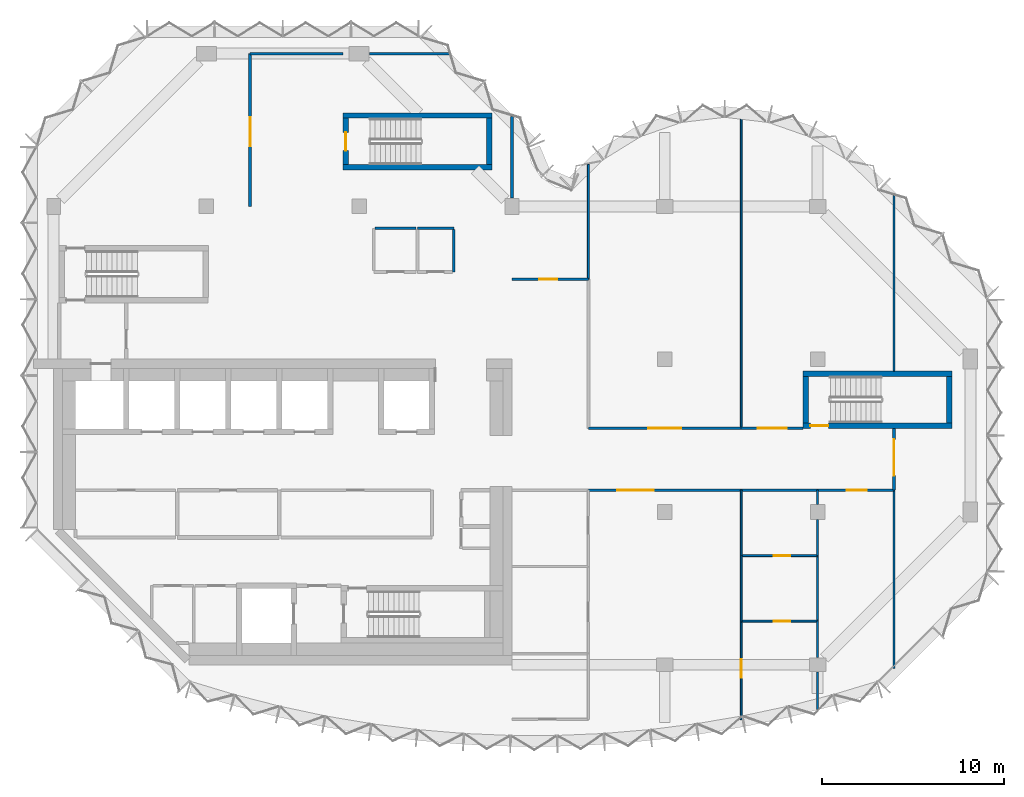
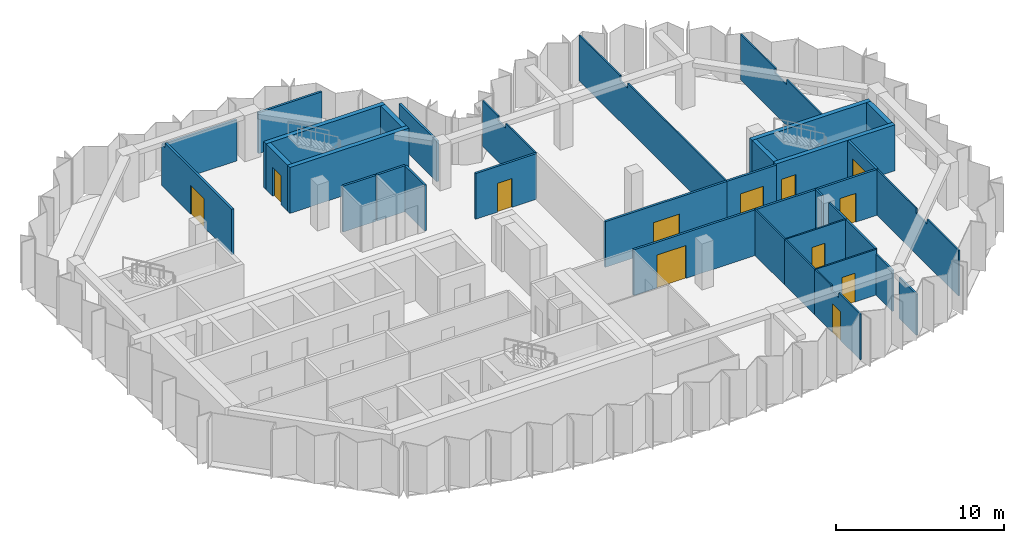
# One storey, part 6 of 9: 36 walls, 12 doors, 12 openings.
"""IFC4 building model written with IfcOpenShell, lengths in metres."""

from ifc_helpers import new_model, si_unit, direction, frame, frame_2d, origin, place, context, subcontext, project, spatial, polyline, rectangle, outline, extrude, material, layer, layer_set, type_object, element, fill, save


model = new_model("IFC4")

# Units and contexts
model_context = context("Model", 3, precision=1e-05, world=origin(), true_north=direction((0.0, 1.0)))
body_context = subcontext(model_context, "Body", "Model", "MODEL_VIEW")
ifc_project = project(units=[si_unit("LENGTHUNIT", "METRE"), si_unit("AREAUNIT", "SQUARE_METRE"), si_unit("VOLUMEUNIT", "CUBIC_METRE"), si_unit("PLANEANGLEUNIT", "RADIAN"), si_unit("MASSUNIT", "GRAM", prefix="KILO")], contexts=[model_context])

# Site, building, storey
site_placement = place(None, origin())
site = spatial("IfcSite", under=ifc_project, at=site_placement, CompositionType="ELEMENT")
building_placement = place(site_placement, origin())
building = spatial("IfcBuilding", under=site, at=building_placement, Name="Brevane Broadcast Tower", CompositionType="ELEMENT")
storey_placement = place(building_placement, frame((0.0, 0.0, 226.5)))
storey = spatial("IfcBuildingStorey", under=building, at=storey_placement, Name="L57", CompositionType="ELEMENT", Elevation=226.5)

# Walls
ifc_material_1 = material(Name="Gypsum board on steel studs", Category="steel")
ifc_layer_1 = layer(ifc_material_1, 0.14990234375)
ifc_layer_set_1 = layer_set([ifc_layer_1], Name="Core fire partition 150 mm")
wall_type_1 = type_object("IfcWallType", Name="Core fire partition 150 mm", PredefinedType="PARTITIONING", material=ifc_layer_set_1)
wall_1_placement = place(storey_placement, frame((20.0, 24.0, 0.0), z_axis=(0.0, 0.0, 1.0), x_axis=(1.0, 0.0, 0.0)))
element("IfcWall", 1, at=wall_1_placement, inside=storey, type_object=wall_type_1, Name="L57 partition wall P22", PredefinedType="PARTITIONING", context=body_context, shape_type="SweptSolid", body=[
    extrude(rectangle(XDim=2.0, YDim=0.14990234375, at=frame_2d((1.0, 0.0))), origin(), (0.0, 0.0, 1.0), 3.35009765625),
])
wall_2_placement = place(storey_placement, frame((22.0, 23.925048828125, 0.0), z_axis=(0.0, 0.0, 1.0), x_axis=(0.0, -1.0, 0.0)))
element("IfcWall", 2, at=wall_2_placement, inside=storey, type_object=wall_type_1, Name="L57 partition wall P23", PredefinedType="PARTITIONING", context=body_context, shape_type="SweptSolid", body=[
    extrude(rectangle(XDim=2.324951171875, YDim=0.14990234375, at=frame_2d((1.16259765625, 0.0))), origin(), (0.0, 0.0, 1.0), 3.35009765625),
])
wall_3_placement = place(storey_placement, frame((17.675048828125, 24.0, 0.0), z_axis=(0.0, 0.0, 1.0), x_axis=(1.0, 0.0, 0.0)))
element("IfcWall", 3, at=wall_3_placement, inside=storey, type_object=wall_type_1, Name="L57 partition wall P28", PredefinedType="PARTITIONING", context=body_context, shape_type="SweptSolid", body=[
    extrude(rectangle(XDim=2.25, YDim=0.14990234375, at=frame_2d((1.125, 0.0))), origin(), (0.0, 0.0, 1.0), 3.35009765625),
])
ifc_material_2 = material(Name="Concrete C50/60", Category="concrete")
ifc_layer_2 = layer(ifc_material_2, 0.300048828125)
ifc_layer_set_2 = layer_set([ifc_layer_2], Name="Core wall 300 mm C50/60")
wall_type_2 = type_object("IfcWallType", Name="Core wall 300 mm C50/60", PredefinedType="SHEAR", material=ifc_layer_set_2)
for number, where, z_axis, x_axis, name in (
    (4, (15.89990234375, 27.35009765625, 0.0), (0.0, 0.0, 1.0), (1.0, 0.0, 0.0), "L57 stair wall ST-3-S"),
    (5, (15.89990234375, 30.199951171875, 0.0), (0.0, 0.0, 1.0), (1.0, 0.0, 0.0), "L57 stair wall ST-3-N"),
):
    element("IfcWall", number, at=place(storey_placement, frame(where, z_axis=z_axis, x_axis=x_axis)), inside=storey, type_object=wall_type_2, Name=name, PredefinedType="SHEAR", context=body_context, shape_type="SweptSolid", body=[
        extrude(rectangle(XDim=8.2001953125, YDim=0.300048828125, at=frame_2d((4.10009765625, 0.0))), origin(), (0.0, 0.0, 1.0), 3.35009765625),
    ])

# Wall, opening, door
wall_4_placement = place(storey_placement, frame((16.050048828125, 27.5, 0.0), z_axis=(0.0, 0.0, 1.0), x_axis=(0.0, 1.0, 0.0)))
wall_4 = element("IfcWall", 6, at=wall_4_placement, inside=storey, type_object=wall_type_2, Name="L57 stair wall ST-3-W", PredefinedType="SHEAR", context=body_context, shape_type="SweptSolid", body=[
    extrude(rectangle(XDim=2.550048828125, YDim=0.300048828125, at=frame_2d((1.27490234375, 0.0))), origin(), (0.0, 0.0, 1.0), 3.35009765625),
])
opening_1_placement = place(wall_4_placement, frame((0.77490234375, 0.0, 0.0)))
opening_1 = element("IfcOpeningElement", 7, at=opening_1_placement, cuts=wall_4, Name="Opening L57-K12", PredefinedType="OPENING", context=body_context, shape_type="SweptSolid", body=[
    extrude(rectangle(XDim=1.0, YDim=2.10009765625, at=frame_2d((0.5, 1.050048828125))), frame((0.0, 0.159912109375, 0.0), z_axis=(0.0, -1.0, 0.0), x_axis=(1.0, 0.0, 0.0)), (0.0, 0.0, 1.0), 0.320068359375),
])
ifc_material_3 = material(Name="Steel", Category="steel")
door_type_1 = type_object("IfcDoorType", Name="Stair door 1000 x 2100", OperationType="SINGLE_SWING_LEFT", PredefinedType="DOOR", material=ifc_material_3)
door_1_placement = place(opening_1_placement, origin())
door_1 = element("IfcDoor", 8, at=door_1_placement, inside=storey, type_object=door_type_1, Name="Door L57-K12", OperationType="SINGLE_SWING_RIGHT", OverallHeight=2.10009765625, OverallWidth=1.0, PredefinedType="DOOR", context=body_context, shape_type="SweptSolid", body=[
    extrude(rectangle(XDim=1.0, YDim=2.10009765625, at=frame_2d((0.5, 1.050048828125))), frame((0.0, 0.02490234375, 0.0), z_axis=(0.0, -1.0, 0.0), x_axis=(1.0, 0.0, 0.0)), (0.0, 0.0, 1.0), 0.050048828125),
])
fill(opening_1, door_1)

# Wall
wall_5_placement = place(storey_placement, frame((23.949951171875, 27.5, 0.0), z_axis=(0.0, 0.0, 1.0), x_axis=(0.0, 1.0, 0.0)))
element("IfcWall", 9, at=wall_5_placement, inside=storey, type_object=wall_type_2, Name="L57 stair wall ST-3-E", PredefinedType="SHEAR", context=body_context, shape_type="SweptSolid", body=[
    extrude(rectangle(XDim=2.550048828125, YDim=0.300048828125, at=frame_2d((1.27490234375, 0.0))), origin(), (0.0, 0.0, 1.0), 3.35009765625),
])

# Wall, opening, door
wall_6_placement = place(storey_placement, frame((49.39990234375, 13.14990234375, 0.0), z_axis=(0.0, 0.0, 1.0), x_axis=(-1.0, 0.0, 0.0)))
wall_6 = element("IfcWall", 10, at=wall_6_placement, inside=storey, type_object=wall_type_2, Name="L57 stair wall ST-4-S", PredefinedType="SHEAR", context=body_context, shape_type="SweptSolid", body=[
    extrude(rectangle(XDim=8.199951171875, YDim=0.300048828125, at=frame_2d((4.10009765625, 0.0))), origin(), (0.0, 0.0, 1.0), 3.35009765625),
])
opening_2_placement = place(wall_6_placement, frame((6.800048828125, 0.0, 0.0)))
opening_2 = element("IfcOpeningElement", 11, at=opening_2_placement, cuts=wall_6, Name="Opening L57-K13", PredefinedType="OPENING", context=body_context, shape_type="SweptSolid", body=[
    extrude(rectangle(XDim=1.0, YDim=2.10009765625, at=frame_2d((0.5, 1.050048828125))), frame((0.0, 0.159912109375, 0.0), z_axis=(0.0, -1.0, 0.0), x_axis=(1.0, 0.0, 0.0)), (0.0, 0.0, 1.0), 0.320068359375),
])
door_2_placement = place(opening_2_placement, origin())
door_2 = element("IfcDoor", 12, at=door_2_placement, inside=storey, type_object=door_type_1, Name="Door L57-K13", OperationType="SINGLE_SWING_LEFT", OverallHeight=2.10009765625, OverallWidth=1.0, PredefinedType="DOOR", context=body_context, shape_type="SweptSolid", body=[
    extrude(rectangle(XDim=1.0, YDim=2.10009765625, at=frame_2d((0.5, 1.050048828125))), frame((0.0, 0.02490234375, 0.0), z_axis=(0.0, -1.0, 0.0), x_axis=(1.0, 0.0, 0.0)), (0.0, 0.0, 1.0), 0.050048828125),
])
fill(opening_2, door_2)

# Walls
wall_7_placement = place(storey_placement, frame((41.199951171875, 16.0, 0.0), z_axis=(0.0, 0.0, 1.0), x_axis=(1.0, 0.0, 0.0)))
element("IfcWall", 13, at=wall_7_placement, inside=storey, type_object=wall_type_2, Name="L57 stair wall ST-4-N", PredefinedType="SHEAR", context=body_context, shape_type="SweptSolid", body=[
    extrude(rectangle(XDim=8.199951171875, YDim=0.300048828125, at=frame_2d((4.10009765625, 0.0))), origin(), (0.0, 0.0, 1.0), 3.35009765625),
])
for number, where, z_axis, x_axis, name in (
    (14, (41.35009765625, 13.300048828125, 0.0), (0.0, 0.0, 1.0), (0.0, 1.0, 0.0), "L57 stair wall ST-4-W"),
    (15, (49.25, 13.300048828125, 0.0), (0.0, 0.0, 1.0), (0.0, 1.0, 0.0), "L57 stair wall ST-4-E"),
):
    element("IfcWall", number, at=place(storey_placement, frame(where, z_axis=z_axis, x_axis=x_axis)), inside=storey, type_object=wall_type_2, Name=name, PredefinedType="SHEAR", context=body_context, shape_type="SweptSolid", body=[
        extrude(rectangle(XDim=2.550048828125, YDim=0.300048828125, at=frame_2d((1.27490234375, 0.0))), origin(), (0.0, 0.0, 1.0), 3.35009765625),
    ])
ifc_material_4 = material(Name="Gypsum board partition")
ifc_layer_3 = layer(ifc_material_4, 0.10009765625)
ifc_layer_set_3 = layer_set([ifc_layer_3], Name="PARTITION 100 STUD")
wall_type_3 = type_object("IfcWallType", Name="PARTITION 100 STUD", PredefinedType="PARTITIONING", material=ifc_layer_set_3)
wall_8_placement = place(storey_placement, frame((29.39990234375, 27.510986328125, 0.0), z_axis=(0.0, 0.0, 1.0), x_axis=(0.0, -1.0, 0.0)))
element("IfcWall", 16, at=wall_8_placement, inside=storey, type_object=wall_type_3, Name="Partition G17-004", PredefinedType="PARTITIONING", context=body_context, shape_type="SweptSolid", body=[
    extrude(outline(polyline([(0.0, 0.0), (6.31103515625, 0.0), (6.31103515625, 3.330078125), (2.760986328125, 3.330078125), (2.759033203125, 2.97998046875), (1.863037109375, 2.97998046875), (1.861083984375, 3.330078125), (0.236083984375, 3.330078125), (0.0, 3.330078125), (0.0, 0.0)])), frame((0.0, 0.050048828125, 0.0), z_axis=(0.0, -1.0, 0.0), x_axis=(1.0, 0.0, 0.0)), (0.0, 0.0, 1.0), 0.10009765625),
])
wall_9_placement = place(storey_placement, frame((46.199951171875, -0.199951171875, 0.0), z_axis=(0.0, 0.0, 1.0), x_axis=(0.0, 1.0, 0.0)))
element("IfcWall", 17, at=wall_9_placement, inside=storey, type_object=wall_type_3, Name="Partition G17-012", PredefinedType="PARTITIONING", context=body_context, shape_type="SweptSolid", body=[
    extrude(outline(polyline([(0.0, 0.0), (9.800048828125, 0.0), (9.800048828125, 3.330078125), (5.065673828125, 3.330078125), (5.063720703125, 2.97998046875), (3.736328125, 2.97998046875), (3.734375, 3.330078125), (0.0, 3.330078125), (0.0, 0.0)])), frame((0.0, 0.050048828125, 0.0), z_axis=(0.0, -1.0, 0.0), x_axis=(1.0, 0.0, 0.0)), (0.0, 0.0, 1.0), 0.10009765625),
])
wall_10_placement = place(storey_placement, frame((46.199951171875, 16.14990234375, 0.0), z_axis=(0.0, 0.0, 1.0), x_axis=(0.0, 1.0, 0.0)))
element("IfcWall", 18, at=wall_10_placement, inside=storey, type_object=wall_type_3, Name="Partition G17-013", PredefinedType="PARTITIONING", context=body_context, shape_type="SweptSolid", body=[
    extrude(outline(polyline([(0.0, 0.0), (9.655517578125, 0.0), (9.655517578125, 3.330078125), (9.25, 3.330078125), (5.515625, 3.330078125), (5.513671875, 2.97998046875), (4.186279296875, 2.97998046875), (4.184326171875, 3.330078125), (0.0, 3.330078125), (0.0, 0.0)])), frame((0.0, 0.050048828125, 0.0), z_axis=(0.0, -1.0, 0.0), x_axis=(1.0, 0.0, 0.0)), (0.0, 0.0, 1.0), 0.10009765625),
])

# Wall, opening, door
wall_11_placement = place(storey_placement, frame((37.800048828125, 2.39990234375, 0.0), z_axis=(0.0, 0.0, 1.0), x_axis=(0.0, -1.0, 0.0)))
wall_11 = element("IfcWall", 19, at=wall_11_placement, inside=storey, type_object=wall_type_3, Name="Partition G17-014", PredefinedType="PARTITIONING", context=body_context, shape_type="SweptSolid", body=[
    extrude(outline(polyline([(0.0, 0.0), (5.422119140625, 0.0), (5.42236328125, 3.330078125), (2.85009765625, 3.330078125), (2.847900390625, 2.97998046875), (1.951904296875, 2.97998046875), (1.949951171875, 3.330078125), (0.0, 3.330078125), (0.0, 0.0)])), frame((0.0, 0.050048828125, 0.0), z_axis=(0.0, -1.0, 0.0), x_axis=(1.0, 0.0, 0.0)), (0.0, 0.0, 1.0), 0.10009765625),
])
opening_3_placement = place(wall_11_placement, frame((2.10009765625, 0.0, 0.0)))
opening_3 = element("IfcOpeningElement", 20, at=opening_3_placement, cuts=wall_11, Name="Opening D28-004", PredefinedType="OPENING", context=body_context, shape_type="SweptSolid", body=[
    extrude(rectangle(XDim=1.0, YDim=2.10009765625, at=frame_2d((0.5, 1.050048828125))), frame((0.0, 0.06005859375, 0.0), z_axis=(0.0, -1.0, 0.0), x_axis=(1.0, 0.0, 0.0)), (0.0, 0.0, 1.0), 0.1201171875),
])
ifc_material_5 = material(Name="Timber door leaf", Category="wood")
door_type_2 = type_object("IfcDoorType", Name="DOOR SINGLE 1000 INTERNAL", OperationType="SINGLE_SWING_LEFT", PredefinedType="DOOR", material=ifc_material_5)
door_3_placement = place(opening_3_placement, origin())
door_3 = element("IfcDoor", 21, at=door_3_placement, inside=storey, type_object=door_type_2, Name="Door D28-004", OperationType="SINGLE_SWING_LEFT", OverallHeight=2.10009765625, OverallWidth=1.0, PredefinedType="DOOR", context=body_context, shape_type="SweptSolid", body=[
    extrude(rectangle(XDim=1.0, YDim=2.10009765625, at=frame_2d((0.5, 1.050048828125))), frame((0.0, 0.02490234375, 0.0), z_axis=(0.0, -1.0, 0.0), x_axis=(1.0, 0.0, 0.0)), (0.0, 0.0, 1.0), 0.050048828125),
])
fill(opening_3, door_3)

# Walls
for number, where, z_axis, x_axis, name in (
    (22, (37.800048828125, 6.0, 0.0), (0.0, 0.0, 1.0), (0.0, -1.0, 0.0), "Partition G17-015"),
    (23, (37.800048828125, 9.60009765625, 0.0), (0.0, 0.0, 1.0), (0.0, -1.0, 0.0), "Partition G17-016"),
):
    element("IfcWall", number, at=place(storey_placement, frame(where, z_axis=z_axis, x_axis=x_axis)), inside=storey, type_object=wall_type_3, Name=name, PredefinedType="PARTITIONING", context=body_context, shape_type="SweptSolid", body=[
        extrude(rectangle(XDim=3.60009765625, YDim=0.10009765625, at=frame_2d((1.800048828125, 0.0))), origin(), (0.0, 0.0, 1.0), 3.330078125),
    ])

# Wall, opening, door
wall_12_placement = place(storey_placement, frame((37.800048828125, 2.39990234375, 0.0), z_axis=(0.0, 0.0, 1.0), x_axis=(1.0, 0.0, 0.0)))
wall_12 = element("IfcWall", 24, at=wall_12_placement, inside=storey, type_object=wall_type_3, Name="Partition G17-021", PredefinedType="PARTITIONING", context=body_context, shape_type="SweptSolid", body=[
    extrude(rectangle(XDim=4.199951171875, YDim=0.10009765625, at=frame_2d((2.10009765625, 0.0))), origin(), (0.0, 0.0, 1.0), 3.330078125),
])
opening_4_placement = place(wall_12_placement, frame((1.800048828125, 0.0, 0.0)))
opening_4 = element("IfcOpeningElement", 25, at=opening_4_placement, cuts=wall_12, Name="Opening D28-005", PredefinedType="OPENING", context=body_context, shape_type="SweptSolid", body=[
    extrude(rectangle(XDim=0.89990234375, YDim=2.10009765625, at=frame_2d((0.449951171875, 1.050048828125))), frame((0.0, 0.06005859375, 0.0), z_axis=(0.0, -1.0, 0.0), x_axis=(1.0, 0.0, 0.0)), (0.0, 0.0, 1.0), 0.1201171875),
])
door_type_3 = type_object("IfcDoorType", Name="DOOR SINGLE 900 INTERNAL", OperationType="SINGLE_SWING_LEFT", PredefinedType="DOOR", material=ifc_material_5)
door_4_placement = place(opening_4_placement, origin())
door_4 = element("IfcDoor", 26, at=door_4_placement, inside=storey, type_object=door_type_3, Name="Door D28-005", OperationType="SINGLE_SWING_LEFT", OverallHeight=2.10009765625, OverallWidth=0.89990234375, PredefinedType="DOOR", context=body_context, shape_type="SweptSolid", body=[
    extrude(rectangle(XDim=0.89990234375, YDim=2.10009765625, at=frame_2d((0.449951171875, 1.050048828125))), frame((0.0, 0.02490234375, 0.0), z_axis=(0.0, -1.0, 0.0), x_axis=(1.0, 0.0, 0.0)), (0.0, 0.0, 1.0), 0.050048828125),
])
fill(opening_4, door_4)

wall_13_placement = place(storey_placement, frame((37.800048828125, 6.0, 0.0), z_axis=(0.0, 0.0, 1.0), x_axis=(1.0, 0.0, 0.0)))
wall_13 = element("IfcWall", 27, at=wall_13_placement, inside=storey, type_object=wall_type_3, Name="Partition G17-024", PredefinedType="PARTITIONING", context=body_context, shape_type="SweptSolid", body=[
    extrude(rectangle(XDim=4.199951171875, YDim=0.10009765625, at=frame_2d((2.10009765625, 0.0))), origin(), (0.0, 0.0, 1.0), 3.330078125),
])
opening_5_placement = place(wall_13_placement, frame((1.800048828125, 0.0, 0.0)))
opening_5 = element("IfcOpeningElement", 28, at=opening_5_placement, cuts=wall_13, Name="Opening D28-006", PredefinedType="OPENING", context=body_context, shape_type="SweptSolid", body=[
    extrude(rectangle(XDim=0.89990234375, YDim=2.10009765625, at=frame_2d((0.449951171875, 1.050048828125))), frame((0.0, 0.06005859375, 0.0), z_axis=(0.0, -1.0, 0.0), x_axis=(1.0, 0.0, 0.0)), (0.0, 0.0, 1.0), 0.1201171875),
])
door_5_placement = place(opening_5_placement, origin())
door_5 = element("IfcDoor", 29, at=door_5_placement, inside=storey, type_object=door_type_3, Name="Door D28-006", OperationType="SINGLE_SWING_LEFT", OverallHeight=2.10009765625, OverallWidth=0.89990234375, PredefinedType="DOOR", context=body_context, shape_type="SweptSolid", body=[
    extrude(rectangle(XDim=0.89990234375, YDim=2.10009765625, at=frame_2d((0.449951171875, 1.050048828125))), frame((0.0, 0.02490234375, 0.0), z_axis=(0.0, -1.0, 0.0), x_axis=(1.0, 0.0, 0.0)), (0.0, 0.0, 1.0), 0.050048828125),
])
fill(opening_5, door_5)

# Walls
wall_14_placement = place(storey_placement, frame((37.800048828125, 30.52587890625, 0.0), z_axis=(0.0, 0.0, 1.0), x_axis=(0.0, -1.0, 0.0)))
element("IfcWall", 30, at=wall_14_placement, inside=storey, type_object=wall_type_3, Name="Partition G17-030", PredefinedType="PARTITIONING", context=body_context, shape_type="SweptSolid", body=[
    extrude(outline(polyline([(0.0, 0.0), (17.52587890625, 0.0), (17.52587890625, 3.330078125), (5.77587890625, 3.330078125), (5.77392578125, 2.97998046875), (4.8779296875, 2.97998046875), (4.8759765625, 3.330078125), (0.283203125, 3.330078125), (0.0, 3.330078125), (0.0, 0.0)])), frame((0.0, 0.050048828125, 0.0), z_axis=(0.0, -1.0, 0.0), x_axis=(1.0, 0.0, 0.0)), (0.0, 0.0, 1.0), 0.10009765625),
])
ifc_layer_4 = layer(ifc_material_4, 0.125)
ifc_layer_set_4 = layer_set([ifc_layer_4], Name="PARTITION 125 ACOUSTIC")
wall_type_4 = type_object("IfcWallType", Name="PARTITION 125 ACOUSTIC", PredefinedType="PARTITIONING", material=ifc_layer_set_4)
wall_15_placement = place(storey_placement, frame((42.0, 2.39990234375, 0.0), z_axis=(0.0, 0.0, 1.0), x_axis=(0.0, -1.0, 0.0)))
element("IfcWall", 31, at=wall_15_placement, inside=storey, type_object=wall_type_4, Name="Partition G17-022", PredefinedType="PARTITIONING", context=body_context, shape_type="SweptSolid", body=[
    extrude(rectangle(XDim=2.0048828125, YDim=0.125, at=frame_2d((1.00244140625, 0.0))), origin(), (0.0, 0.0, 1.0), 2.97998046875),
])
wall_16_placement = place(storey_placement, frame((42.0, -0.39501953125, 0.0), z_axis=(0.0, 0.0, 1.0), x_axis=(0.0, -1.0, 0.0)))
element("IfcWall", 32, at=wall_16_placement, inside=storey, type_object=wall_type_4, Name="Partition G17-023", PredefinedType="PARTITIONING", context=body_context, shape_type="SweptSolid", body=[
    extrude(rectangle(XDim=2.074951171875, YDim=0.125, at=frame_2d((1.03759765625, 0.0))), origin(), (0.0, 0.0, 1.0), 2.97998046875),
])
wall_17_placement = place(storey_placement, frame((42.0, 6.0, 0.0), z_axis=(0.0, 0.0, 1.0), x_axis=(0.0, -1.0, 0.0)))
element("IfcWall", 33, at=wall_17_placement, inside=storey, type_object=wall_type_4, Name="Partition G17-025", PredefinedType="PARTITIONING", context=body_context, shape_type="SweptSolid", body=[
    extrude(rectangle(XDim=3.60009765625, YDim=0.125, at=frame_2d((1.800048828125, 0.0))), origin(), (0.0, 0.0, 1.0), 3.330078125),
])
wall_18_placement = place(storey_placement, frame((42.0, 9.60009765625, 0.0), z_axis=(0.0, 0.0, 1.0), x_axis=(0.0, -1.0, 0.0)))
element("IfcWall", 34, at=wall_18_placement, inside=storey, type_object=wall_type_4, Name="Partition G17-026", PredefinedType="PARTITIONING", context=body_context, shape_type="SweptSolid", body=[
    extrude(rectangle(XDim=0.780029296875, YDim=0.125, at=frame_2d((0.39013671875, 0.0))), origin(), (0.0, 0.0, 1.0), 3.330078125),
])
wall_19_placement = place(storey_placement, frame((42.0, 7.97998046875, 0.0), z_axis=(0.0, 0.0, 1.0), x_axis=(0.0, -1.0, 0.0)))
element("IfcWall", 35, at=wall_19_placement, inside=storey, type_object=wall_type_4, Name="Partition G17-027", PredefinedType="PARTITIONING", context=body_context, shape_type="SweptSolid", body=[
    extrude(rectangle(XDim=1.97998046875, YDim=0.125, at=frame_2d((0.989990234375, 0.0))), origin(), (0.0, 0.0, 1.0), 3.330078125),
])

# Wall, opening, door
ifc_layer_5 = layer(ifc_material_4, 0.14990234375)
ifc_layer_set_5 = layer_set([ifc_layer_5], Name="PARTITION 150 EI 60")
wall_type_5 = type_object("IfcWallType", Name="PARTITION 150 EI 60", PredefinedType="PARTITIONING", material=ifc_layer_set_5)
wall_20_placement = place(storey_placement, frame((25.199951171875, 21.199951171875, 0.0), z_axis=(0.0, 0.0, 1.0), x_axis=(1.0, 0.0, 0.0)))
wall_20 = element("IfcWall", 36, at=wall_20_placement, inside=storey, type_object=wall_type_5, Name="Partition G17-001", PredefinedType="PARTITIONING", context=body_context, shape_type="SweptSolid", body=[
    extrude(rectangle(XDim=4.199951171875, YDim=0.14990234375, at=frame_2d((2.10009765625, 0.0))), origin(), (0.0, 0.0, 1.0), 3.330078125),
])
opening_6_placement = place(wall_20_placement, frame((1.5, 0.0, 0.0)))
opening_6 = element("IfcOpeningElement", 37, at=opening_6_placement, cuts=wall_20, Name="Opening D28-001", PredefinedType="OPENING", context=body_context, shape_type="SweptSolid", body=[
    extrude(rectangle(XDim=1.0, YDim=2.10009765625, at=frame_2d((0.5, 1.050048828125))), frame((0.0, 0.0849609375, 0.0), z_axis=(0.0, -1.0, 0.0), x_axis=(1.0, 0.0, 0.0)), (0.0, 0.0, 1.0), 0.169921875),
])
ifc_material_6 = material(Name="Fire-rated timber door leaf", Category="wood")
door_type_4 = type_object("IfcDoorType", Name="DOOR SINGLE 1000 FD30S", OperationType="SINGLE_SWING_LEFT", PredefinedType="DOOR", material=ifc_material_6)
door_6_placement = place(opening_6_placement, origin())
door_6 = element("IfcDoor", 38, at=door_6_placement, inside=storey, type_object=door_type_4, Name="Door D28-001", OperationType="SINGLE_SWING_LEFT", OverallHeight=2.10009765625, OverallWidth=1.0, PredefinedType="DOOR", context=body_context, shape_type="SweptSolid", body=[
    extrude(rectangle(XDim=1.0, YDim=2.10009765625, at=frame_2d((0.5, 1.050048828125))), frame((0.0, 0.02490234375, 0.0), z_axis=(0.0, -1.0, 0.0), x_axis=(1.0, 0.0, 0.0)), (0.0, 0.0, 1.0), 0.050048828125),
])
fill(opening_6, door_6)

# Wall
wall_21_placement = place(storey_placement, frame((25.199951171875, 25.669921875, 0.0), z_axis=(0.0, 0.0, 1.0), x_axis=(0.0, 1.0, 0.0)))
element("IfcWall", 39, at=wall_21_placement, inside=storey, type_object=wall_type_5, Name="Partition G17-005", PredefinedType="PARTITIONING", context=body_context, shape_type="SweptSolid", body=[
    extrude(rectangle(XDim=4.486572265625, YDim=0.14990234375, at=frame_2d((2.2431640625, 0.0))), origin(), (0.0, 0.0, 1.0), 2.97998046875),
])

# Wall, opening, door
wall_22_placement = place(storey_placement, frame((46.199951171875, 13.0, 0.0), z_axis=(0.0, 0.0, 1.0), x_axis=(0.0, -1.0, 0.0)))
wall_22 = element("IfcWall", 40, at=wall_22_placement, inside=storey, type_object=wall_type_5, Name="Partition G17-006", PredefinedType="PARTITIONING", context=body_context, shape_type="SweptSolid", body=[
    extrude(rectangle(XDim=3.39990234375, YDim=0.14990234375, at=frame_2d((1.699951171875, 0.0))), origin(), (0.0, 0.0, 1.0), 3.330078125),
])
opening_7_placement = place(wall_22_placement, frame((0.60009765625, 0.0, 0.0)))
opening_7 = element("IfcOpeningElement", 41, at=opening_7_placement, cuts=wall_22, Name="Opening D28-002", PredefinedType="OPENING", context=body_context, shape_type="SweptSolid", body=[
    extrude(rectangle(XDim=2.0, YDim=2.39990234375, at=frame_2d((1.0, 1.199951171875))), frame((0.0, 0.0849609375, 0.0), z_axis=(0.0, -1.0, 0.0), x_axis=(1.0, 0.0, 0.0)), (0.0, 0.0, 1.0), 0.169921875),
])
door_type_5 = type_object("IfcDoorType", Name="DOOR DOUBLE 2000 FD30S", OperationType="DOUBLE_DOOR_SINGLE_SWING", PredefinedType="DOOR", material=ifc_material_6)
door_7_placement = place(opening_7_placement, origin())
door_7 = element("IfcDoor", 42, at=door_7_placement, inside=storey, type_object=door_type_5, Name="Door D28-002", OperationType="DOUBLE_DOOR_SINGLE_SWING", OverallHeight=2.39990234375, OverallWidth=2.0, PredefinedType="DOOR", context=body_context, shape_type="SweptSolid", body=[
    extrude(rectangle(XDim=2.0, YDim=2.39990234375, at=frame_2d((1.0, 1.199951171875))), frame((0.0, 0.02490234375, 0.0), z_axis=(0.0, -1.0, 0.0), x_axis=(1.0, 0.0, 0.0)), (0.0, 0.0, 1.0), 0.050048828125),
])
fill(opening_7, door_7)

wall_23_placement = place(storey_placement, frame((37.800048828125, 9.60009765625, 0.0), z_axis=(0.0, 0.0, 1.0), x_axis=(-1.0, 0.0, 0.0)))
wall_23 = element("IfcWall", 43, at=wall_23_placement, inside=storey, type_object=wall_type_5, Name="Partition G17-007", PredefinedType="PARTITIONING", context=body_context, shape_type="SweptSolid", body=[
    extrude(rectangle(XDim=8.400146484375, YDim=0.14990234375, at=frame_2d((4.2001953125, 0.0))), origin(), (0.0, 0.0, 1.0), 3.330078125),
])
opening_8_placement = place(wall_23_placement, frame((4.800048828125, 0.0, 0.0)))
opening_8 = element("IfcOpeningElement", 44, at=opening_8_placement, cuts=wall_23, Name="Opening D28-003", PredefinedType="OPENING", context=body_context, shape_type="SweptSolid", body=[
    extrude(rectangle(XDim=2.0, YDim=2.39990234375, at=frame_2d((1.0, 1.199951171875))), frame((0.0, 0.0849609375, 0.0), z_axis=(0.0, -1.0, 0.0), x_axis=(1.0, 0.0, 0.0)), (0.0, 0.0, 1.0), 0.169921875),
])
door_8_placement = place(opening_8_placement, origin())
door_8 = element("IfcDoor", 45, at=door_8_placement, inside=storey, type_object=door_type_5, Name="Door D28-003", OperationType="DOUBLE_DOOR_SINGLE_SWING", OverallHeight=2.39990234375, OverallWidth=2.0, PredefinedType="DOOR", context=body_context, shape_type="SweptSolid", body=[
    extrude(rectangle(XDim=2.0, YDim=2.39990234375, at=frame_2d((1.0, 1.199951171875))), frame((0.0, 0.02490234375, 0.0), z_axis=(0.0, -1.0, 0.0), x_axis=(1.0, 0.0, 0.0)), (0.0, 0.0, 1.0), 0.050048828125),
])
fill(opening_8, door_8)

# Wall
wall_24_placement = place(storey_placement, frame((42.0, 9.60009765625, 0.0), z_axis=(0.0, 0.0, 1.0), x_axis=(-1.0, 0.0, 0.0)))
element("IfcWall", 46, at=wall_24_placement, inside=storey, type_object=wall_type_5, Name="Partition G17-008", PredefinedType="PARTITIONING", context=body_context, shape_type="SweptSolid", body=[
    extrude(rectangle(XDim=4.199951171875, YDim=0.14990234375, at=frame_2d((2.10009765625, 0.0))), origin(), (0.0, 0.0, 1.0), 3.330078125),
])

# Wall, opening, door
wall_25_placement = place(storey_placement, frame((46.199951171875, 9.60009765625, 0.0), z_axis=(0.0, 0.0, 1.0), x_axis=(-1.0, 0.0, 0.0)))
wall_25 = element("IfcWall", 47, at=wall_25_placement, inside=storey, type_object=wall_type_5, Name="Partition G17-009", PredefinedType="PARTITIONING", context=body_context, shape_type="SweptSolid", body=[
    extrude(rectangle(XDim=4.199951171875, YDim=0.14990234375, at=frame_2d((2.10009765625, 0.0))), origin(), (0.0, 0.0, 1.0), 3.330078125),
])
opening_9_placement = place(wall_25_placement, frame((1.5, 0.0, 0.0)))
opening_9 = element("IfcOpeningElement", 48, at=opening_9_placement, cuts=wall_25, Name="Opening D28-010", PredefinedType="OPENING", context=body_context, shape_type="SweptSolid", body=[
    extrude(rectangle(XDim=1.10009765625, YDim=2.10009765625, at=frame_2d((0.550048828125, 1.050048828125))), frame((0.0, 0.0849609375, 0.0), z_axis=(0.0, -1.0, 0.0), x_axis=(1.0, 0.0, 0.0)), (0.0, 0.0, 1.0), 0.169921875),
])
door_type_6 = type_object("IfcDoorType", Name="DOOR SINGLE 1100 FD30S", OperationType="SINGLE_SWING_LEFT", PredefinedType="DOOR", material=ifc_material_6)
door_9_placement = place(opening_9_placement, origin())
door_9 = element("IfcDoor", 49, at=door_9_placement, inside=storey, type_object=door_type_6, Name="Door D28-010", OperationType="SINGLE_SWING_LEFT", OverallHeight=2.10009765625, OverallWidth=1.10009765625, PredefinedType="DOOR", context=body_context, shape_type="SweptSolid", body=[
    extrude(rectangle(XDim=1.10009765625, YDim=2.10009765625, at=frame_2d((0.550048828125, 1.050048828125))), frame((0.0, 0.02490234375, 0.0), z_axis=(0.0, -1.0, 0.0), x_axis=(1.0, 0.0, 0.0)), (0.0, 0.0, 1.0), 0.050048828125),
])
fill(opening_9, door_9)

wall_26_placement = place(storey_placement, frame((29.39990234375, 13.0, 0.0), z_axis=(0.0, 0.0, 1.0), x_axis=(1.0, 0.0, 0.0)))
wall_26 = element("IfcWall", 50, at=wall_26_placement, inside=storey, type_object=wall_type_5, Name="Partition G17-010", PredefinedType="PARTITIONING", context=body_context, shape_type="SweptSolid", body=[
    extrude(rectangle(XDim=8.400146484375, YDim=0.14990234375, at=frame_2d((4.2001953125, 0.0))), origin(), (0.0, 0.0, 1.0), 3.330078125),
])
opening_10_placement = place(wall_26_placement, frame((3.300048828125, 0.0, 0.0)))
opening_10 = element("IfcOpeningElement", 51, at=opening_10_placement, cuts=wall_26, Name="Opening D28-011", PredefinedType="OPENING", context=body_context, shape_type="SweptSolid", body=[
    extrude(rectangle(XDim=1.800048828125, YDim=2.10009765625, at=frame_2d((0.89990234375, 1.050048828125))), frame((0.0, 0.0849609375, 0.0), z_axis=(0.0, -1.0, 0.0), x_axis=(1.0, 0.0, 0.0)), (0.0, 0.0, 1.0), 0.169921875),
])
door_type_7 = type_object("IfcDoorType", Name="DOOR DOUBLE 1800 FD30S", OperationType="DOUBLE_DOOR_SINGLE_SWING", PredefinedType="DOOR", material=ifc_material_6)
door_10_placement = place(opening_10_placement, origin())
door_10 = element("IfcDoor", 52, at=door_10_placement, inside=storey, type_object=door_type_7, Name="Door D28-011", OperationType="DOUBLE_DOOR_SINGLE_SWING", OverallHeight=2.10009765625, OverallWidth=1.800048828125, PredefinedType="DOOR", context=body_context, shape_type="SweptSolid", body=[
    extrude(rectangle(XDim=1.800048828125, YDim=2.10009765625, at=frame_2d((0.89990234375, 1.050048828125))), frame((0.0, 0.02490234375, 0.0), z_axis=(0.0, -1.0, 0.0), x_axis=(1.0, 0.0, 0.0)), (0.0, 0.0, 1.0), 0.050048828125),
])
fill(opening_10, door_10)

wall_27_placement = place(storey_placement, frame((37.800048828125, 13.0, 0.0), z_axis=(0.0, 0.0, 1.0), x_axis=(1.0, 0.0, 0.0)))
wall_27 = element("IfcWall", 53, at=wall_27_placement, inside=storey, type_object=wall_type_5, Name="Partition G17-011", PredefinedType="PARTITIONING", context=body_context, shape_type="SweptSolid", body=[
    extrude(rectangle(XDim=3.39990234375, YDim=0.14990234375, at=frame_2d((1.699951171875, 0.0))), origin(), (0.0, 0.0, 1.0), 3.330078125),
])
opening_11_placement = place(wall_27_placement, frame((0.89990234375, 0.0, 0.0)))
opening_11 = element("IfcOpeningElement", 54, at=opening_11_placement, cuts=wall_27, Name="Opening D28-012", PredefinedType="OPENING", context=body_context, shape_type="SweptSolid", body=[
    extrude(rectangle(XDim=1.60009765625, YDim=2.10009765625, at=frame_2d((0.800048828125, 1.050048828125))), frame((0.0, 0.0849609375, 0.0), z_axis=(0.0, -1.0, 0.0), x_axis=(1.0, 0.0, 0.0)), (0.0, 0.0, 1.0), 0.169921875),
])
door_type_8 = type_object("IfcDoorType", Name="DOOR DOUBLE 1600 FD30S", OperationType="DOUBLE_DOOR_SINGLE_SWING", PredefinedType="DOOR", material=ifc_material_6)
door_11_placement = place(opening_11_placement, origin())
door_11 = element("IfcDoor", 55, at=door_11_placement, inside=storey, type_object=door_type_8, Name="Door D28-012", OperationType="DOUBLE_DOOR_SINGLE_SWING", OverallHeight=2.10009765625, OverallWidth=1.60009765625, PredefinedType="DOOR", context=body_context, shape_type="SweptSolid", body=[
    extrude(rectangle(XDim=1.60009765625, YDim=2.10009765625, at=frame_2d((0.800048828125, 1.050048828125))), frame((0.0, 0.02490234375, 0.0), z_axis=(0.0, -1.0, 0.0), x_axis=(1.0, 0.0, 0.0)), (0.0, 0.0, 1.0), 0.050048828125),
])
fill(opening_11, door_11)

wall_28_placement = place(storey_placement, frame((10.800048828125, 25.199951171875, 0.0), z_axis=(0.0, 0.0, 1.0), x_axis=(0.0, 1.0, 0.0)))
wall_28 = element("IfcWall", 56, at=wall_28_placement, inside=storey, type_object=wall_type_5, Name="Partition G17-031", PredefinedType="PARTITIONING", context=body_context, shape_type="SweptSolid", body=[
    extrude(outline(polyline([(0.0, 0.0), (8.400146484375, 0.0), (8.39990234375, 2.97998046875), (7.951904296875, 2.97998046875), (7.949951171875, 3.330078125), (0.0, 3.330078125), (0.0, 0.0)])), frame((0.0, 0.074951171875, 0.0), z_axis=(0.0, -1.0, 0.0), x_axis=(1.0, 0.0, 0.0)), (0.0, 0.0, 1.0), 0.14990234375),
])
opening_12_placement = place(wall_28_placement, frame((3.300048828125, 0.0, 0.0)))
opening_12 = element("IfcOpeningElement", 57, at=opening_12_placement, cuts=wall_28, Name="Opening D28-013", PredefinedType="OPENING", context=body_context, shape_type="SweptSolid", body=[
    extrude(rectangle(XDim=1.60009765625, YDim=2.10009765625, at=frame_2d((0.800048828125, 1.050048828125))), frame((0.0, 0.0849609375, 0.0), z_axis=(0.0, -1.0, 0.0), x_axis=(1.0, 0.0, 0.0)), (0.0, 0.0, 1.0), 0.169921875),
])
door_12_placement = place(opening_12_placement, origin())
door_12 = element("IfcDoor", 58, at=door_12_placement, inside=storey, type_object=door_type_8, Name="Door D28-013", OperationType="DOUBLE_DOOR_SINGLE_SWING", OverallHeight=2.10009765625, OverallWidth=1.60009765625, PredefinedType="DOOR", context=body_context, shape_type="SweptSolid", body=[
    extrude(rectangle(XDim=1.60009765625, YDim=2.10009765625, at=frame_2d((0.800048828125, 1.050048828125))), frame((0.0, 0.02490234375, 0.0), z_axis=(0.0, -1.0, 0.0), x_axis=(1.0, 0.0, 0.0)), (0.0, 0.0, 1.0), 0.050048828125),
])
fill(opening_12, door_12)

# Walls
wall_29_placement = place(storey_placement, frame((10.800048828125, 33.60009765625, 0.0), z_axis=(0.0, 0.0, 1.0), x_axis=(1.0, 0.0, 0.0)))
element("IfcWall", 59, at=wall_29_placement, inside=storey, type_object=wall_type_5, Name="Partition G17-032", PredefinedType="PARTITIONING", context=body_context, shape_type="SweptSolid", body=[
    extrude(outline(polyline([(0.0, 0.0), (5.099853515625, 0.0), (5.10009765625, 2.97998046875), (0.0, 2.97998046875), (0.0, 0.0)])), frame((0.0, 0.074951171875, 0.0), z_axis=(0.0, -1.0, 0.0), x_axis=(1.0, 0.0, 0.0)), (0.0, 0.0, 1.0), 0.14990234375),
])
wall_30_placement = place(storey_placement, frame((17.3701171875, 33.60009765625, 0.0), z_axis=(0.0, 0.0, 1.0), x_axis=(1.0, 0.0, 0.0)))
element("IfcWall", 60, at=wall_30_placement, inside=storey, type_object=wall_type_5, Name="Partition G17-033", PredefinedType="PARTITIONING", context=body_context, shape_type="SweptSolid", body=[
    extrude(rectangle(XDim=4.38623046875, YDim=0.14990234375, at=frame_2d((2.193115234375, 0.0))), origin(), (0.0, 0.0, 1.0), 2.97998046875),
])

save(model, "model.ifc")
